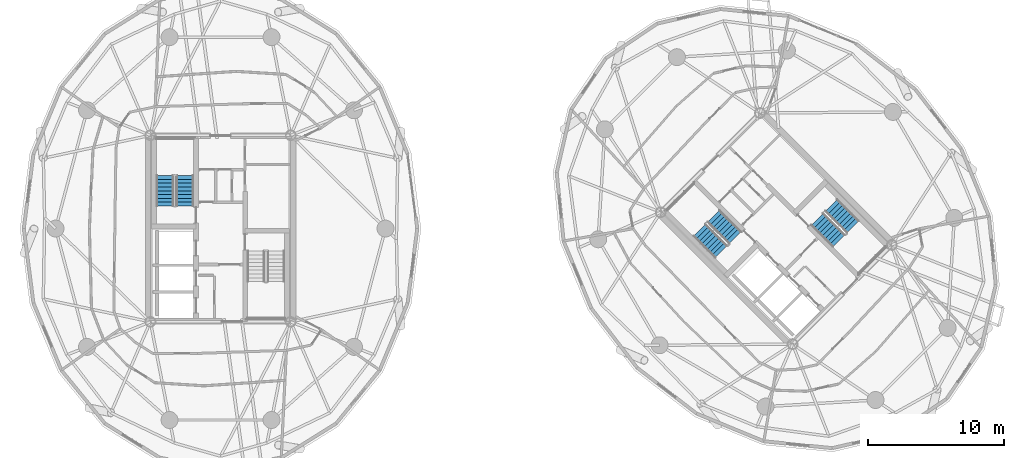
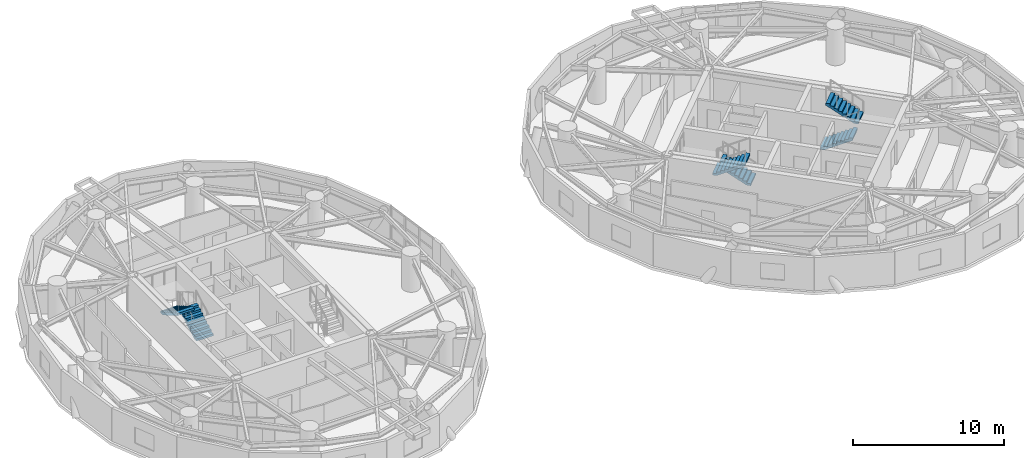
# One storey, part 15 of 17: 6 stair flights, 3 elements without a shape of their own.
"""IFC4 building model written with IfcOpenShell, lengths in metres."""

from ifc_helpers import new_model, si_unit, direction, frame, origin, place, context, subcontext, project, spatial, polyline, outline, extrude, material, type_object, element, aggregate, save


model = new_model("IFC4")

# Units and contexts
model_context = context("Model", 3, precision=1e-05, world=origin(), true_north=direction((0.0, 1.0)))
body_context = subcontext(model_context, "Body", "Model", "MODEL_VIEW")
ifc_project = project(units=[si_unit("LENGTHUNIT", "METRE"), si_unit("AREAUNIT", "SQUARE_METRE"), si_unit("VOLUMEUNIT", "CUBIC_METRE"), si_unit("PLANEANGLEUNIT", "RADIAN"), si_unit("MASSUNIT", "GRAM", prefix="KILO")], contexts=[model_context])

# Site, building, storey
site_placement = place(None, origin())
site = spatial("IfcSite", under=ifc_project, at=site_placement, CompositionType="ELEMENT")
building_placement = place(site_placement, origin())
building = spatial("IfcBuilding", under=site, at=building_placement, Name="Cununo Teusaquillo Station Towers", CompositionType="ELEMENT")
storey_placement = place(building_placement, frame((0.0, 0.0, 166.14990234375)))
storey = spatial("IfcBuildingStorey", under=building, at=storey_placement, Name="L52", CompositionType="ELEMENT", Elevation=166.14990234375)

# Stair, stair flights
ifc_material_1 = material(Name="Concrete C50/60", Category="concrete")
stair_type = type_object("IfcStairType", Name="ST-TWR-1300", PredefinedType="HALF_TURN_STAIR", material=ifc_material_1)
stair_1_placement = place(storey_placement, origin())
stair_1 = element("IfcStair", 1, at=stair_1_placement, inside=storey, type_object=stair_type, Name="L52 Tower A Protected Core Exit Stair 1", PredefinedType="HALF_TURN_STAIR")
ifc_material_2 = material(Name="Concrete C50/60", Category="concrete")
stair_flight_type = type_object("IfcStairFlightType", Name="SFL-TWR-1300", PredefinedType="STRAIGHT", material=ifc_material_2)
stair_flight_1_placement = place(storey_placement, frame((13.8701171875, 26.169921875, 0.0), z_axis=(0.0, 0.0, 1.0), x_axis=(0.0, 1.0, 0.0)))
stair_flight_1 = element("IfcStairFlight", 2, at=stair_flight_1_placement, type_object=stair_flight_type, Name="ST-T1-1 flight 1", NumberOfRisers=9, NumberOfTreads=8, PredefinedType="STRAIGHT", RiserHeight=0.161666667, TreadLength=0.28, context=body_context, shape_type="SweptSolid", body=[
    extrude(outline(polyline([(0.0, 0.0), (0.0, 0.16162109375), (0.280029296875, 0.16162109375), (0.280029296875, 0.3232421875), (0.56005859375, 0.3232421875), (0.56005859375, 0.485107421875), (0.840087890625, 0.485107421875), (0.840087890625, 0.646728515625), (1.1201171875, 0.646728515625), (1.1201171875, 0.808349609375), (1.39990234375, 0.808349609375), (1.39990234375, 0.969970703125), (1.679931640625, 0.969970703125), (1.679931640625, 1.131591796875), (1.9599609375, 1.131591796875), (1.9599609375, 1.293212890625), (2.239990234375, 1.293212890625), (2.239990234375, 1.455078125), (2.239990234375, 1.1201171875), (0.2998046875, 0.0), (0.0, 0.0)])), frame((0.0, 0.64990234375, 0.0), z_axis=(0.0, -1.0, 0.0), x_axis=(1.0, 0.0, 0.0)), (0.0, 0.0, 1.0), 1.300048828125),
])
stair_flight_2_placement = place(storey_placement, frame((12.409912109375, 28.409912109375, 1.455078125), z_axis=(0.0, 0.0, 1.0), x_axis=(0.0, -1.0, 0.0)))
stair_flight_2 = element("IfcStairFlight", 3, at=stair_flight_2_placement, type_object=stair_flight_type, Name="ST-T1-1 flight 2", NumberOfRisers=9, NumberOfTreads=8, PredefinedType="STRAIGHT", RiserHeight=0.161666667, TreadLength=0.28, context=body_context, shape_type="SweptSolid", body=[
    extrude(outline(polyline([(0.0, 0.0), (0.0, 0.16162109375), (0.280029296875, 0.16162109375), (0.280029296875, 0.3232421875), (0.56005859375, 0.3232421875), (0.56005859375, 0.485107421875), (0.840087890625, 0.485107421875), (0.840087890625, 0.646728515625), (1.1201171875, 0.646728515625), (1.1201171875, 0.808349609375), (1.39990234375, 0.808349609375), (1.39990234375, 0.969970703125), (1.679931640625, 0.969970703125), (1.679931640625, 1.131591796875), (1.9599609375, 1.131591796875), (1.9599609375, 1.293212890625), (2.239990234375, 1.293212890625), (2.239990234375, 1.455078125), (2.239990234375, 1.1201171875), (0.2998046875, 0.0), (0.0, 0.0)])), frame((0.0, 0.64990234375, 0.0), z_axis=(0.0, -1.0, 0.0), x_axis=(1.0, 0.0, 0.0)), (0.0, 0.0, 1.0), 1.300048828125),
])
aggregate(stair_1, [stair_flight_1, stair_flight_2])

stair_2_placement = place(storey_placement, origin())
stair_2 = element("IfcStair", 4, at=stair_2_placement, inside=storey, type_object=stair_type, Name="L52 Tower B Protected Core Exit Stair 1", PredefinedType="HALF_TURN_STAIR")
stair_flight_3_placement = place(storey_placement, frame((54.45947265625, 23.8212890625, 0.0), z_axis=(0.0, 0.0, 1.0), x_axis=(-0.707106781187, 0.707106781187, 0.0)))
stair_flight_3 = element("IfcStairFlight", 5, at=stair_flight_3_placement, type_object=stair_flight_type, Name="ST-T2-1 flight 1", NumberOfRisers=9, NumberOfTreads=8, PredefinedType="STRAIGHT", RiserHeight=0.161666667, TreadLength=0.28, context=body_context, shape_type="SweptSolid", body=[
    extrude(outline(polyline([(0.0, 0.0), (0.0, 0.16162109375), (0.280029296875, 0.16162109375), (0.280029296875, 0.3232421875), (0.56005859375, 0.3232421875), (0.56005859375, 0.485107421875), (0.840087890625, 0.485107421875), (0.840087890625, 0.646728515625), (1.1201171875, 0.646728515625), (1.1201171875, 0.808349609375), (1.39990234375, 0.808349609375), (1.39990234375, 0.969970703125), (1.679931640625, 0.969970703125), (1.679931640625, 1.131591796875), (1.9599609375, 1.131591796875), (1.9599609375, 1.293212890625), (2.239990234375, 1.293212890625), (2.239990234375, 1.455078125), (2.239990234375, 1.1201171875), (0.2998046875, 0.0), (0.0, 0.0)])), frame((0.0, 0.64990234375, 0.0), z_axis=(0.0, -1.0, 0.0), x_axis=(1.0, 0.0, 0.0)), (0.0, 0.0, 1.0), 1.300048828125),
])
stair_flight_4_placement = place(storey_placement, frame((51.84326171875, 24.372802734375, 1.455078125), z_axis=(0.0, 0.0, 1.0), x_axis=(0.707106781187, -0.707106781187, 0.0)))
stair_flight_4 = element("IfcStairFlight", 6, at=stair_flight_4_placement, type_object=stair_flight_type, Name="ST-T2-1 flight 2", NumberOfRisers=9, NumberOfTreads=8, PredefinedType="STRAIGHT", RiserHeight=0.161666667, TreadLength=0.28, context=body_context, shape_type="SweptSolid", body=[
    extrude(outline(polyline([(0.0, 0.0), (0.0, 0.16162109375), (0.280029296875, 0.16162109375), (0.280029296875, 0.3232421875), (0.56005859375, 0.3232421875), (0.56005859375, 0.485107421875), (0.840087890625, 0.485107421875), (0.840087890625, 0.646728515625), (1.1201171875, 0.646728515625), (1.1201171875, 0.808349609375), (1.39990234375, 0.808349609375), (1.39990234375, 0.969970703125), (1.679931640625, 0.969970703125), (1.679931640625, 1.131591796875), (1.9599609375, 1.131591796875), (1.9599609375, 1.293212890625), (2.239990234375, 1.293212890625), (2.239990234375, 1.455078125), (2.239990234375, 1.1201171875), (0.2998046875, 0.0), (0.0, 0.0)])), frame((0.0, 0.64990234375, 0.0), z_axis=(0.0, -1.0, 0.0), x_axis=(1.0, 0.0, 0.0)), (0.0, 0.0, 1.0), 1.300048828125),
])
aggregate(stair_2, [stair_flight_3, stair_flight_4])

stair_3_placement = place(storey_placement, origin())
stair_3 = element("IfcStair", 7, at=stair_3_placement, inside=storey, type_object=stair_type, Name="L52 Tower B Protected Core Exit Stair 2", PredefinedType="HALF_TURN_STAIR")
stair_flight_5_placement = place(storey_placement, frame((60.54052734375, 25.1787109375, 0.0), z_axis=(0.0, 0.0, 1.0), x_axis=(0.707106781187, -0.707106781187, 0.0)))
stair_flight_5 = element("IfcStairFlight", 8, at=stair_flight_5_placement, type_object=stair_flight_type, Name="ST-T2-2 flight 1", NumberOfRisers=9, NumberOfTreads=8, PredefinedType="STRAIGHT", RiserHeight=0.161666667, TreadLength=0.28, context=body_context, shape_type="SweptSolid", body=[
    extrude(outline(polyline([(0.0, 0.0), (0.0, 0.16162109375), (0.280029296875, 0.16162109375), (0.280029296875, 0.3232421875), (0.56005859375, 0.3232421875), (0.56005859375, 0.485107421875), (0.840087890625, 0.485107421875), (0.840087890625, 0.646728515625), (1.1201171875, 0.646728515625), (1.1201171875, 0.808349609375), (1.39990234375, 0.808349609375), (1.39990234375, 0.969970703125), (1.679931640625, 0.969970703125), (1.679931640625, 1.131591796875), (1.9599609375, 1.131591796875), (1.9599609375, 1.293212890625), (2.239990234375, 1.293212890625), (2.239990234375, 1.455078125), (2.239990234375, 1.1201171875), (0.2998046875, 0.0), (0.0, 0.0)])), frame((0.0, 0.64990234375, 0.0), z_axis=(0.0, -1.0, 0.0), x_axis=(1.0, 0.0, 0.0)), (0.0, 0.0, 1.0), 1.300048828125),
])
stair_flight_6_placement = place(storey_placement, frame((63.15673828125, 24.627197265625, 1.455078125), z_axis=(0.0, 0.0, 1.0), x_axis=(-0.707106781187, 0.707106781187, 0.0)))
stair_flight_6 = element("IfcStairFlight", 9, at=stair_flight_6_placement, type_object=stair_flight_type, Name="ST-T2-2 flight 2", NumberOfRisers=9, NumberOfTreads=8, PredefinedType="STRAIGHT", RiserHeight=0.161666667, TreadLength=0.28, context=body_context, shape_type="SweptSolid", body=[
    extrude(outline(polyline([(0.0, 0.0), (0.0, 0.16162109375), (0.280029296875, 0.16162109375), (0.280029296875, 0.3232421875), (0.56005859375, 0.3232421875), (0.56005859375, 0.485107421875), (0.840087890625, 0.485107421875), (0.840087890625, 0.646728515625), (1.1201171875, 0.646728515625), (1.1201171875, 0.808349609375), (1.39990234375, 0.808349609375), (1.39990234375, 0.969970703125), (1.679931640625, 0.969970703125), (1.679931640625, 1.131591796875), (1.9599609375, 1.131591796875), (1.9599609375, 1.293212890625), (2.239990234375, 1.293212890625), (2.239990234375, 1.455078125), (2.239990234375, 1.1201171875), (0.2998046875, 0.0), (0.0, 0.0)])), frame((0.0, 0.64990234375, 0.0), z_axis=(0.0, -1.0, 0.0), x_axis=(1.0, 0.0, 0.0)), (0.0, 0.0, 1.0), 1.300048828125),
])
aggregate(stair_3, [stair_flight_5, stair_flight_6])

save(model, "model.ifc")
